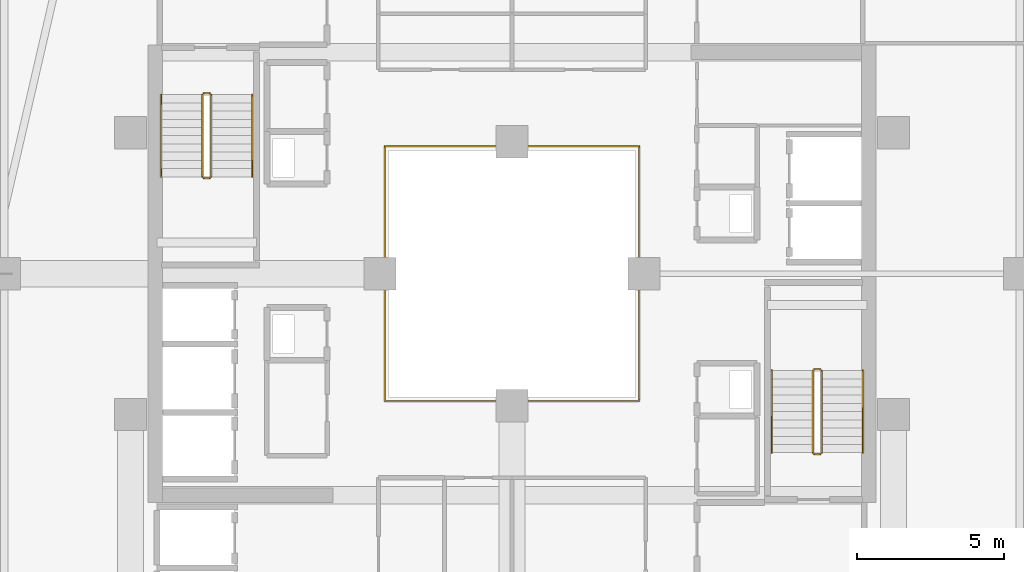
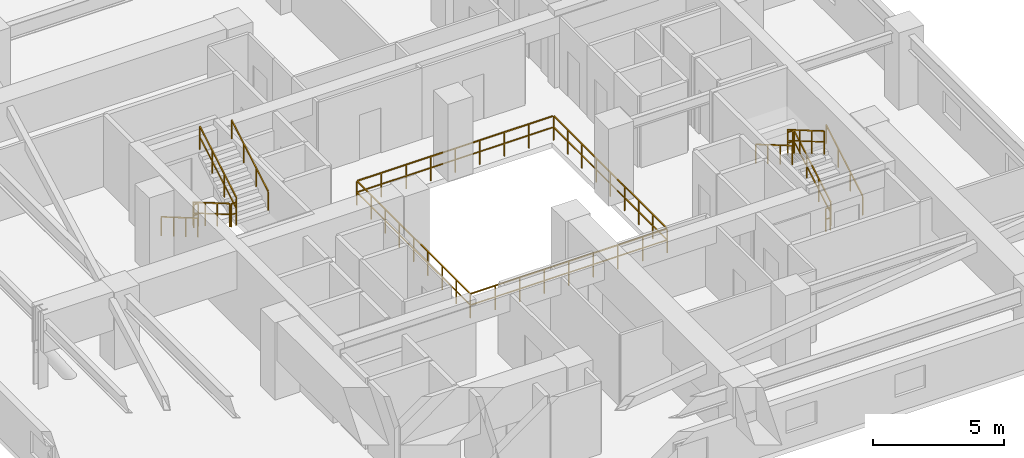
# One storey, part 35 of 36: 13 railings.
"""IFC4 building model written with IfcOpenShell, lengths in metres."""

from ifc_helpers import new_model, si_unit, direction, frame, origin, origin_2d, place, context, subcontext, project, spatial, rectangle, extrude, material, type_object, element, save


model = new_model("IFC4")

# Units and contexts
model_context = context("Model", 3, precision=1e-05, world=origin(), true_north=direction((0.0, 1.0)))
body_context = subcontext(model_context, "Body", "Model", "MODEL_VIEW")
ifc_project = project(units=[si_unit("LENGTHUNIT", "METRE"), si_unit("AREAUNIT", "SQUARE_METRE"), si_unit("VOLUMEUNIT", "CUBIC_METRE"), si_unit("PLANEANGLEUNIT", "RADIAN"), si_unit("MASSUNIT", "GRAM", prefix="KILO")], contexts=[model_context])

# Site, building, storey
site_placement = place(None, origin())
site = spatial("IfcSite", under=ifc_project, at=site_placement, CompositionType="ELEMENT")
building_placement = place(site_placement, origin())
building = spatial("IfcBuilding", under=site, at=building_placement, Name="Thornwick Lancets Civic Towers", CompositionType="ELEMENT")
storey_placement = place(building_placement, frame((0.0, 0.0, 196.5)))
storey = spatial("IfcBuildingStorey", under=building, at=storey_placement, Name="L52", CompositionType="ELEMENT", Elevation=196.5)

# Railings
ifc_material_1 = material(Name="Laminated glass and bronze steel S355", Category="steel")
railing_type_1 = type_object("IfcRailingType", Name="RAIL_ATRIUM_GUARD", PredefinedType="BALUSTRADE", material=ifc_material_1)
railing_1_placement = place(storey_placement, frame((84.159912109375, 22.659912109375, 0.0)))
element("IfcRailing", 1, at=railing_1_placement, inside=storey, type_object=railing_type_1, Name="L52 Tower B Central Atrium Guard Balustrade", PredefinedType="BALUSTRADE", context=body_context, shape_type="SweptSolid", body=[
    extrude(rectangle(XDim=0.048095703125, YDim=0.048095703125, at=origin_2d()), frame((0.0, 0.0, 1.1259765625), z_axis=(1.0, 0.0, 0.0), x_axis=(0.0, 1.0, 0.0)), (0.0, 0.0, 1.0), 8.64892578125),
    extrude(rectangle(XDim=0.0419921875, YDim=0.0419921875, at=origin_2d()), frame((0.03759765625, 0.0, 0.597900390625), z_axis=(1.0, 0.0, 0.0), x_axis=(0.0, 1.0, 0.0)), (0.0, 0.0, 1.0), 1.010009765625),
    extrude(rectangle(XDim=0.0419921875, YDim=0.0419921875, at=origin_2d()), frame((1.12255859375, 0.0, 0.597900390625), z_axis=(1.0, 0.0, 0.0), x_axis=(0.0, 1.0, 0.0)), (0.0, 0.0, 1.0), 1.010009765625),
    extrude(rectangle(XDim=0.0419921875, YDim=0.0419921875, at=origin_2d()), frame((2.20751953125, 0.0, 0.597900390625), z_axis=(1.0, 0.0, 0.0), x_axis=(0.0, 1.0, 0.0)), (0.0, 0.0, 1.0), 1.010009765625),
    extrude(rectangle(XDim=0.0419921875, YDim=0.0419921875, at=origin_2d()), frame((3.29248046875, 0.0, 0.597900390625), z_axis=(1.0, 0.0, 0.0), x_axis=(0.0, 1.0, 0.0)), (0.0, 0.0, 1.0), 1.010009765625),
    extrude(rectangle(XDim=0.0419921875, YDim=0.0419921875, at=origin_2d()), frame((4.377685546875, 0.0, 0.597900390625), z_axis=(1.0, 0.0, 0.0), x_axis=(0.0, 1.0, 0.0)), (0.0, 0.0, 1.0), 1.010009765625),
    extrude(rectangle(XDim=0.0419921875, YDim=0.0419921875, at=origin_2d()), frame((5.462646484375, 0.0, 0.597900390625), z_axis=(1.0, 0.0, 0.0), x_axis=(0.0, 1.0, 0.0)), (0.0, 0.0, 1.0), 1.010009765625),
    extrude(rectangle(XDim=0.0419921875, YDim=0.0419921875, at=origin_2d()), frame((6.547607421875, 0.0, 0.597900390625), z_axis=(1.0, 0.0, 0.0), x_axis=(0.0, 1.0, 0.0)), (0.0, 0.0, 1.0), 1.010009765625),
    extrude(rectangle(XDim=0.0419921875, YDim=0.0419921875, at=origin_2d()), frame((7.632568359375, 0.0, 0.597900390625), z_axis=(1.0, 0.0, 0.0), x_axis=(0.0, 1.0, 0.0)), (0.0, 0.0, 1.0), 1.010009765625),
    extrude(rectangle(XDim=0.048095703125, YDim=0.048095703125, at=origin_2d()), frame((8.68017578125, 0.03125, 1.1259765625), z_axis=(0.0, 1.0, 0.0), x_axis=(-1.0, 0.0, 0.0)), (0.0, 0.0, 1.0), 8.61767578125),
    extrude(rectangle(XDim=0.0419921875, YDim=0.0419921875, at=origin_2d()), frame((8.68017578125, 0.03759765625, 0.597900390625), z_axis=(0.0, 1.0, 0.0), x_axis=(-1.0, 0.0, 0.0)), (0.0, 0.0, 1.0), 1.010009765625),
    extrude(rectangle(XDim=0.0419921875, YDim=0.0419921875, at=origin_2d()), frame((8.68017578125, 1.12255859375, 0.597900390625), z_axis=(0.0, 1.0, 0.0), x_axis=(-1.0, 0.0, 0.0)), (0.0, 0.0, 1.0), 1.010009765625),
    extrude(rectangle(XDim=0.0419921875, YDim=0.0419921875, at=origin_2d()), frame((8.68017578125, 2.20751953125, 0.597900390625), z_axis=(0.0, 1.0, 0.0), x_axis=(-1.0, 0.0, 0.0)), (0.0, 0.0, 1.0), 1.010009765625),
    extrude(rectangle(XDim=0.0419921875, YDim=0.0419921875, at=origin_2d()), frame((8.68017578125, 3.29248046875, 0.597900390625), z_axis=(0.0, 1.0, 0.0), x_axis=(-1.0, 0.0, 0.0)), (0.0, 0.0, 1.0), 1.010009765625),
    extrude(rectangle(XDim=0.0419921875, YDim=0.0419921875, at=origin_2d()), frame((8.68017578125, 4.377685546875, 0.597900390625), z_axis=(0.0, 1.0, 0.0), x_axis=(-1.0, 0.0, 0.0)), (0.0, 0.0, 1.0), 1.010009765625),
    extrude(rectangle(XDim=0.0419921875, YDim=0.0419921875, at=origin_2d()), frame((8.68017578125, 5.462646484375, 0.597900390625), z_axis=(0.0, 1.0, 0.0), x_axis=(-1.0, 0.0, 0.0)), (0.0, 0.0, 1.0), 1.010009765625),
    extrude(rectangle(XDim=0.0419921875, YDim=0.0419921875, at=origin_2d()), frame((8.68017578125, 6.547607421875, 0.597900390625), z_axis=(0.0, 1.0, 0.0), x_axis=(-1.0, 0.0, 0.0)), (0.0, 0.0, 1.0), 1.010009765625),
    extrude(rectangle(XDim=0.0419921875, YDim=0.0419921875, at=origin_2d()), frame((8.68017578125, 7.632568359375, 0.597900390625), z_axis=(0.0, 1.0, 0.0), x_axis=(-1.0, 0.0, 0.0)), (0.0, 0.0, 1.0), 1.010009765625),
    extrude(rectangle(XDim=0.048095703125, YDim=0.048095703125, at=origin_2d()), frame((8.64892578125, 8.68017578125, 1.1259765625), z_axis=(-1.0, 0.0, 0.0), x_axis=(0.0, -1.0, 0.0)), (0.0, 0.0, 1.0), 8.61767578125),
    extrude(rectangle(XDim=0.0419921875, YDim=0.0419921875, at=origin_2d()), frame((8.642578125, 8.68017578125, 0.597900390625), z_axis=(-1.0, 0.0, 0.0), x_axis=(0.0, -1.0, 0.0)), (0.0, 0.0, 1.0), 1.010009765625),
    extrude(rectangle(XDim=0.0419921875, YDim=0.0419921875, at=origin_2d()), frame((7.5576171875, 8.68017578125, 0.597900390625), z_axis=(-1.0, 0.0, 0.0), x_axis=(0.0, -1.0, 0.0)), (0.0, 0.0, 1.0), 1.010009765625),
    extrude(rectangle(XDim=0.0419921875, YDim=0.0419921875, at=origin_2d()), frame((6.47265625, 8.68017578125, 0.597900390625), z_axis=(-1.0, 0.0, 0.0), x_axis=(0.0, -1.0, 0.0)), (0.0, 0.0, 1.0), 1.010009765625),
    extrude(rectangle(XDim=0.0419921875, YDim=0.0419921875, at=origin_2d()), frame((5.3876953125, 8.68017578125, 0.597900390625), z_axis=(-1.0, 0.0, 0.0), x_axis=(0.0, -1.0, 0.0)), (0.0, 0.0, 1.0), 1.010009765625),
    extrude(rectangle(XDim=0.0419921875, YDim=0.0419921875, at=origin_2d()), frame((4.302490234375, 8.68017578125, 0.597900390625), z_axis=(-1.0, 0.0, 0.0), x_axis=(0.0, -1.0, 0.0)), (0.0, 0.0, 1.0), 1.010009765625),
    extrude(rectangle(XDim=0.0419921875, YDim=0.0419921875, at=origin_2d()), frame((3.217529296875, 8.68017578125, 0.597900390625), z_axis=(-1.0, 0.0, 0.0), x_axis=(0.0, -1.0, 0.0)), (0.0, 0.0, 1.0), 1.010009765625),
    extrude(rectangle(XDim=0.0419921875, YDim=0.0419921875, at=origin_2d()), frame((2.132568359375, 8.68017578125, 0.597900390625), z_axis=(-1.0, 0.0, 0.0), x_axis=(0.0, -1.0, 0.0)), (0.0, 0.0, 1.0), 1.010009765625),
    extrude(rectangle(XDim=0.0419921875, YDim=0.0419921875, at=origin_2d()), frame((1.047607421875, 8.68017578125, 0.597900390625), z_axis=(-1.0, 0.0, 0.0), x_axis=(0.0, -1.0, 0.0)), (0.0, 0.0, 1.0), 1.010009765625),
    extrude(rectangle(XDim=0.048095703125, YDim=0.048095703125, at=origin_2d()), frame((0.0, 8.64892578125, 1.1259765625), z_axis=(0.0, -1.0, 0.0), x_axis=(1.0, 0.0, 0.0)), (0.0, 0.0, 1.0), 8.64892578125),
    extrude(rectangle(XDim=0.0419921875, YDim=0.0419921875, at=origin_2d()), frame((0.0, 8.642578125, 0.597900390625), z_axis=(0.0, -1.0, 0.0), x_axis=(1.0, 0.0, 0.0)), (0.0, 0.0, 1.0), 1.010009765625),
    extrude(rectangle(XDim=0.0419921875, YDim=0.0419921875, at=origin_2d()), frame((0.0, 7.5576171875, 0.597900390625), z_axis=(0.0, -1.0, 0.0), x_axis=(1.0, 0.0, 0.0)), (0.0, 0.0, 1.0), 1.010009765625),
    extrude(rectangle(XDim=0.0419921875, YDim=0.0419921875, at=origin_2d()), frame((0.0, 6.47265625, 0.597900390625), z_axis=(0.0, -1.0, 0.0), x_axis=(1.0, 0.0, 0.0)), (0.0, 0.0, 1.0), 1.010009765625),
    extrude(rectangle(XDim=0.0419921875, YDim=0.0419921875, at=origin_2d()), frame((0.0, 5.3876953125, 0.597900390625), z_axis=(0.0, -1.0, 0.0), x_axis=(1.0, 0.0, 0.0)), (0.0, 0.0, 1.0), 1.010009765625),
    extrude(rectangle(XDim=0.0419921875, YDim=0.0419921875, at=origin_2d()), frame((0.0, 4.302490234375, 0.597900390625), z_axis=(0.0, -1.0, 0.0), x_axis=(1.0, 0.0, 0.0)), (0.0, 0.0, 1.0), 1.010009765625),
    extrude(rectangle(XDim=0.0419921875, YDim=0.0419921875, at=origin_2d()), frame((0.0, 3.217529296875, 0.597900390625), z_axis=(0.0, -1.0, 0.0), x_axis=(1.0, 0.0, 0.0)), (0.0, 0.0, 1.0), 1.010009765625),
    extrude(rectangle(XDim=0.0419921875, YDim=0.0419921875, at=origin_2d()), frame((0.0, 2.132568359375, 0.597900390625), z_axis=(0.0, -1.0, 0.0), x_axis=(1.0, 0.0, 0.0)), (0.0, 0.0, 1.0), 1.010009765625),
    extrude(rectangle(XDim=0.0419921875, YDim=0.0419921875, at=origin_2d()), frame((0.0, 1.047607421875, 0.597900390625), z_axis=(0.0, -1.0, 0.0), x_axis=(1.0, 0.0, 0.0)), (0.0, 0.0, 1.0), 1.010009765625),
    extrude(rectangle(XDim=0.0419921875, YDim=0.0419921875, at=origin_2d()), origin(), (0.0, 0.0, 1.0), 1.095703125),
    extrude(rectangle(XDim=0.0419921875, YDim=0.0419921875, at=origin_2d()), frame((1.0849609375, 0.0, 0.0)), (0.0, 0.0, 1.0), 1.095703125),
    extrude(rectangle(XDim=0.0419921875, YDim=0.0419921875, at=origin_2d()), frame((2.169921875, 0.0, 0.0)), (0.0, 0.0, 1.0), 1.095703125),
    extrude(rectangle(XDim=0.0419921875, YDim=0.0419921875, at=origin_2d()), frame((3.255126953125, 0.0, 0.0)), (0.0, 0.0, 1.0), 1.095703125),
    extrude(rectangle(XDim=0.0419921875, YDim=0.0419921875, at=origin_2d()), frame((4.340087890625, 0.0, 0.0)), (0.0, 0.0, 1.0), 1.095703125),
    extrude(rectangle(XDim=0.0419921875, YDim=0.0419921875, at=origin_2d()), frame((5.425048828125, 0.0, 0.0)), (0.0, 0.0, 1.0), 1.095703125),
    extrude(rectangle(XDim=0.0419921875, YDim=0.0419921875, at=origin_2d()), frame((6.51025390625, 0.0, 0.0)), (0.0, 0.0, 1.0), 1.095703125),
    extrude(rectangle(XDim=0.0419921875, YDim=0.0419921875, at=origin_2d()), frame((7.59521484375, 0.0, 0.0)), (0.0, 0.0, 1.0), 1.095703125),
    extrude(rectangle(XDim=0.0419921875, YDim=0.0419921875, at=origin_2d()), frame((8.68017578125, 0.0, 0.0)), (0.0, 0.0, 1.0), 1.095703125),
    extrude(rectangle(XDim=0.0419921875, YDim=0.0419921875, at=origin_2d()), frame((8.68017578125, 1.0849609375, 0.0)), (0.0, 0.0, 1.0), 1.095703125),
    extrude(rectangle(XDim=0.0419921875, YDim=0.0419921875, at=origin_2d()), frame((8.68017578125, 2.169921875, 0.0)), (0.0, 0.0, 1.0), 1.095703125),
    extrude(rectangle(XDim=0.0419921875, YDim=0.0419921875, at=origin_2d()), frame((8.68017578125, 3.255126953125, 0.0)), (0.0, 0.0, 1.0), 1.095703125),
    extrude(rectangle(XDim=0.0419921875, YDim=0.0419921875, at=origin_2d()), frame((8.68017578125, 4.340087890625, 0.0)), (0.0, 0.0, 1.0), 1.095703125),
    extrude(rectangle(XDim=0.0419921875, YDim=0.0419921875, at=origin_2d()), frame((8.68017578125, 5.425048828125, 0.0)), (0.0, 0.0, 1.0), 1.095703125),
    extrude(rectangle(XDim=0.0419921875, YDim=0.0419921875, at=origin_2d()), frame((8.68017578125, 6.51025390625, 0.0)), (0.0, 0.0, 1.0), 1.095703125),
    extrude(rectangle(XDim=0.0419921875, YDim=0.0419921875, at=origin_2d()), frame((8.68017578125, 7.59521484375, 0.0)), (0.0, 0.0, 1.0), 1.095703125),
    extrude(rectangle(XDim=0.0419921875, YDim=0.0419921875, at=origin_2d()), frame((8.68017578125, 8.68017578125, 0.0)), (0.0, 0.0, 1.0), 1.095703125),
    extrude(rectangle(XDim=0.0419921875, YDim=0.0419921875, at=origin_2d()), frame((7.59521484375, 8.68017578125, 0.0)), (0.0, 0.0, 1.0), 1.095703125),
    extrude(rectangle(XDim=0.0419921875, YDim=0.0419921875, at=origin_2d()), frame((6.51025390625, 8.68017578125, 0.0)), (0.0, 0.0, 1.0), 1.095703125),
    extrude(rectangle(XDim=0.0419921875, YDim=0.0419921875, at=origin_2d()), frame((5.425048828125, 8.68017578125, 0.0)), (0.0, 0.0, 1.0), 1.095703125),
    extrude(rectangle(XDim=0.0419921875, YDim=0.0419921875, at=origin_2d()), frame((4.340087890625, 8.68017578125, 0.0)), (0.0, 0.0, 1.0), 1.095703125),
    extrude(rectangle(XDim=0.0419921875, YDim=0.0419921875, at=origin_2d()), frame((3.255126953125, 8.68017578125, 0.0)), (0.0, 0.0, 1.0), 1.095703125),
    extrude(rectangle(XDim=0.0419921875, YDim=0.0419921875, at=origin_2d()), frame((2.169921875, 8.68017578125, 0.0)), (0.0, 0.0, 1.0), 1.095703125),
    extrude(rectangle(XDim=0.0419921875, YDim=0.0419921875, at=origin_2d()), frame((1.0849609375, 8.68017578125, 0.0)), (0.0, 0.0, 1.0), 1.095703125),
    extrude(rectangle(XDim=0.0419921875, YDim=0.0419921875, at=origin_2d()), frame((0.0, 8.68017578125, 0.0)), (0.0, 0.0, 1.0), 1.095703125),
    extrude(rectangle(XDim=0.0419921875, YDim=0.0419921875, at=origin_2d()), frame((0.0, 7.59521484375, 0.0)), (0.0, 0.0, 1.0), 1.095703125),
    extrude(rectangle(XDim=0.0419921875, YDim=0.0419921875, at=origin_2d()), frame((0.0, 6.51025390625, 0.0)), (0.0, 0.0, 1.0), 1.095703125),
    extrude(rectangle(XDim=0.0419921875, YDim=0.0419921875, at=origin_2d()), frame((0.0, 5.425048828125, 0.0)), (0.0, 0.0, 1.0), 1.095703125),
    extrude(rectangle(XDim=0.0419921875, YDim=0.0419921875, at=origin_2d()), frame((0.0, 4.340087890625, 0.0)), (0.0, 0.0, 1.0), 1.095703125),
    extrude(rectangle(XDim=0.0419921875, YDim=0.0419921875, at=origin_2d()), frame((0.0, 3.255126953125, 0.0)), (0.0, 0.0, 1.0), 1.095703125),
    extrude(rectangle(XDim=0.0419921875, YDim=0.0419921875, at=origin_2d()), frame((0.0, 2.169921875, 0.0)), (0.0, 0.0, 1.0), 1.095703125),
    extrude(rectangle(XDim=0.0419921875, YDim=0.0419921875, at=origin_2d()), frame((0.0, 1.0849609375, 0.0)), (0.0, 0.0, 1.0), 1.095703125),
])
ifc_material_2 = material(Name="Brushed stainless steel S355", Category="steel")
railing_type_2 = type_object("IfcRailingType", Name="RAIL_HANDRAIL", PredefinedType="HANDRAIL", material=ifc_material_2)
railing_2_placement = place(storey_placement, frame((100.449951171875, 20.89990234375, 0.16357421875)))
element("IfcRailing", 2, at=railing_2_placement, inside=storey, type_object=railing_type_2, Name="L52 ST-B1 stair handrail 1", PredefinedType="HANDRAIL", context=body_context, shape_type="SweptSolid", body=[
    extrude(rectangle(XDim=0.048095703125, YDim=0.048095703125, at=origin_2d()), frame((0.0, 0.0, 0.8857421875), z_axis=(0.0, 0.863360870873, 0.504586966384), x_axis=(-1.0, 0.0, 0.0)), (0.0, 0.0, 1.0), 3.2431640625),
    extrude(rectangle(XDim=0.0419921875, YDim=0.0419921875, at=origin_2d()), origin(), (0.0, 0.0, 1.0), 0.855712890625),
    extrude(rectangle(XDim=0.0419921875, YDim=0.0419921875, at=origin_2d()), frame((0.0, 0.933349609375, 0.54541015625)), (0.0, 0.0, 1.0), 0.855712890625),
    extrude(rectangle(XDim=0.0419921875, YDim=0.0419921875, at=origin_2d()), frame((0.0, 1.86669921875, 1.091064453125)), (0.0, 0.0, 1.0), 0.855712890625),
    extrude(rectangle(XDim=0.0419921875, YDim=0.0419921875, at=origin_2d()), frame((0.0, 2.800048828125, 1.636474609375)), (0.0, 0.0, 1.0), 0.855712890625),
])
for number, where, name in (
    (3, (97.35009765625, 23.699951171875, 1.963623046875), "L52 ST-B1 stair handrail 2"),
    (4, (76.550048828125, 33.10009765625, 0.16357421875), "L52 ST-B2 stair handrail 1"),
):
    element("IfcRailing", number, at=place(storey_placement, frame(where)), inside=storey, type_object=railing_type_2, Name=name, PredefinedType="HANDRAIL", context=body_context, shape_type="SweptSolid", body=[
        extrude(rectangle(XDim=0.048095703125, YDim=0.048095703125, at=origin_2d()), frame((0.0, 0.0, 0.8857421875), z_axis=(0.0, -0.863360870873, 0.504586966384), x_axis=(1.0, 0.0, 0.0)), (0.0, 0.0, 1.0), 3.2431640625),
        extrude(rectangle(XDim=0.0419921875, YDim=0.0419921875, at=origin_2d()), origin(), (0.0, 0.0, 1.0), 0.855712890625),
        extrude(rectangle(XDim=0.0419921875, YDim=0.0419921875, at=origin_2d()), frame((0.0, -0.933349609375, 0.54541015625)), (0.0, 0.0, 1.0), 0.855712890625),
        extrude(rectangle(XDim=0.0419921875, YDim=0.0419921875, at=origin_2d()), frame((0.0, -1.86669921875, 1.091064453125)), (0.0, 0.0, 1.0), 0.855712890625),
        extrude(rectangle(XDim=0.0419921875, YDim=0.0419921875, at=origin_2d()), frame((0.0, -2.800048828125, 1.636474609375)), (0.0, 0.0, 1.0), 0.855712890625),
    ])
railing_3_placement = place(storey_placement, frame((79.64990234375, 30.300048828125, 1.963623046875)))
element("IfcRailing", 5, at=railing_3_placement, inside=storey, type_object=railing_type_2, Name="L52 ST-B2 stair handrail 2", PredefinedType="HANDRAIL", context=body_context, shape_type="SweptSolid", body=[
    extrude(rectangle(XDim=0.048095703125, YDim=0.048095703125, at=origin_2d()), frame((0.0, 0.0, 0.8857421875), z_axis=(0.0, 0.863360870873, 0.504586966384), x_axis=(-1.0, 0.0, 0.0)), (0.0, 0.0, 1.0), 3.2431640625),
    extrude(rectangle(XDim=0.0419921875, YDim=0.0419921875, at=origin_2d()), origin(), (0.0, 0.0, 1.0), 0.855712890625),
    extrude(rectangle(XDim=0.0419921875, YDim=0.0419921875, at=origin_2d()), frame((0.0, 0.933349609375, 0.54541015625)), (0.0, 0.0, 1.0), 0.855712890625),
    extrude(rectangle(XDim=0.0419921875, YDim=0.0419921875, at=origin_2d()), frame((0.0, 1.86669921875, 1.091064453125)), (0.0, 0.0, 1.0), 0.855712890625),
    extrude(rectangle(XDim=0.0419921875, YDim=0.0419921875, at=origin_2d()), frame((0.0, 2.800048828125, 1.636474609375)), (0.0, 0.0, 1.0), 0.855712890625),
])
ifc_material_3 = material(Name="Steel S355JR", Category="steel")
railing_type_3 = type_object("IfcRailingType", Name="RAIL_STAIR_GUARD", PredefinedType="GUARDRAIL", material=ifc_material_3)
railing_4_placement = place(storey_placement, frame((99.050048828125, 20.89990234375, 0.16357421875)))
element("IfcRailing", 6, at=railing_4_placement, inside=storey, type_object=railing_type_3, Name="L52 ST-B1 stair guard 1", PredefinedType="GUARDRAIL", context=body_context, shape_type="SweptSolid", body=[
    extrude(rectangle(XDim=0.048095703125, YDim=0.048095703125, at=origin_2d()), frame((0.0, 0.0, 1.076171875), z_axis=(0.0, 0.863360870873, 0.504586966384), x_axis=(-1.0, 0.0, 0.0)), (0.0, 0.0, 1.0), 3.2431640625),
    extrude(rectangle(XDim=0.0419921875, YDim=0.0419921875, at=origin_2d()), frame((0.0, 0.032470703125, 0.591064453125), z_axis=(0.0, 0.863360870873, 0.504586966384), x_axis=(-1.0, 0.0, 0.0)), (0.0, 0.0, 1.0), 1.006103515625),
    extrude(rectangle(XDim=0.0419921875, YDim=0.0419921875, at=origin_2d()), frame((0.0, 0.9658203125, 1.136474609375), z_axis=(0.0, 0.863360870873, 0.504586966384), x_axis=(-1.0, 0.0, 0.0)), (0.0, 0.0, 1.0), 1.006103515625),
    extrude(rectangle(XDim=0.0419921875, YDim=0.0419921875, at=origin_2d()), frame((0.0, 1.899169921875, 1.681884765625), z_axis=(0.0, 0.863360870873, 0.504586966384), x_axis=(-1.0, 0.0, 0.0)), (0.0, 0.0, 1.0), 1.006103515625),
    extrude(rectangle(XDim=0.0419921875, YDim=0.0419921875, at=origin_2d()), origin(), (0.0, 0.0, 1.0), 1.0458984375),
    extrude(rectangle(XDim=0.0419921875, YDim=0.0419921875, at=origin_2d()), frame((0.0, 0.933349609375, 0.54541015625)), (0.0, 0.0, 1.0), 1.0458984375),
    extrude(rectangle(XDim=0.0419921875, YDim=0.0419921875, at=origin_2d()), frame((0.0, 1.86669921875, 1.091064453125)), (0.0, 0.0, 1.0), 1.0458984375),
    extrude(rectangle(XDim=0.0419921875, YDim=0.0419921875, at=origin_2d()), frame((0.0, 2.800048828125, 1.636474609375)), (0.0, 0.0, 1.0), 1.0458984375),
])
railing_5_placement = place(storey_placement, frame((99.0, 23.75, 1.800048828125)))
element("IfcRailing", 7, at=railing_5_placement, inside=storey, type_object=railing_type_3, Name="L52 ST-B1 stair guard 2", PredefinedType="GUARDRAIL", context=body_context, shape_type="SweptSolid", body=[
    extrude(rectangle(XDim=0.048095703125, YDim=0.048095703125, at=origin_2d()), frame((0.0, 0.0, 1.076171875), z_axis=(-1.0, 0.0, 0.0), x_axis=(0.0, -1.0, 0.0)), (0.0, 0.0, 1.0), 0.199951171875),
    extrude(rectangle(XDim=0.0419921875, YDim=0.0419921875, at=origin_2d()), frame((-0.03759765625, 0.0, 0.572021484375), z_axis=(-1.0, 0.0, 0.0), x_axis=(0.0, -1.0, 0.0)), (0.0, 0.0, 1.0), 0.125),
    extrude(rectangle(XDim=0.0419921875, YDim=0.0419921875, at=origin_2d()), origin(), (0.0, 0.0, 1.0), 1.0458984375),
    extrude(rectangle(XDim=0.0419921875, YDim=0.0419921875, at=origin_2d()), frame((-0.199951171875, 0.0, 0.0)), (0.0, 0.0, 1.0), 1.0458984375),
])
railing_6_placement = place(storey_placement, frame((98.75, 23.699951171875, 1.963623046875)))
element("IfcRailing", 8, at=railing_6_placement, inside=storey, type_object=railing_type_3, Name="L52 ST-B1 stair guard 3", PredefinedType="GUARDRAIL", context=body_context, shape_type="SweptSolid", body=[
    extrude(rectangle(XDim=0.048095703125, YDim=0.048095703125, at=origin_2d()), frame((0.0, 0.0, 1.076171875), z_axis=(0.0, -0.863360870873, 0.504586966384), x_axis=(1.0, 0.0, 0.0)), (0.0, 0.0, 1.0), 3.2431640625),
    extrude(rectangle(XDim=0.0419921875, YDim=0.0419921875, at=origin_2d()), frame((0.0, -0.032470703125, 0.591064453125), z_axis=(0.0, -0.863360870873, 0.504586966384), x_axis=(1.0, 0.0, 0.0)), (0.0, 0.0, 1.0), 1.006103515625),
    extrude(rectangle(XDim=0.0419921875, YDim=0.0419921875, at=origin_2d()), frame((0.0, -0.9658203125, 1.136474609375), z_axis=(0.0, -0.863360870873, 0.504586966384), x_axis=(1.0, 0.0, 0.0)), (0.0, 0.0, 1.0), 1.006103515625),
    extrude(rectangle(XDim=0.0419921875, YDim=0.0419921875, at=origin_2d()), frame((0.0, -1.899169921875, 1.681884765625), z_axis=(0.0, -0.863360870873, 0.504586966384), x_axis=(1.0, 0.0, 0.0)), (0.0, 0.0, 1.0), 1.006103515625),
    extrude(rectangle(XDim=0.0419921875, YDim=0.0419921875, at=origin_2d()), origin(), (0.0, 0.0, 1.0), 1.0458984375),
    extrude(rectangle(XDim=0.0419921875, YDim=0.0419921875, at=origin_2d()), frame((0.0, -0.933349609375, 0.54541015625)), (0.0, 0.0, 1.0), 1.0458984375),
    extrude(rectangle(XDim=0.0419921875, YDim=0.0419921875, at=origin_2d()), frame((0.0, -1.86669921875, 1.091064453125)), (0.0, 0.0, 1.0), 1.0458984375),
    extrude(rectangle(XDim=0.0419921875, YDim=0.0419921875, at=origin_2d()), frame((0.0, -2.800048828125, 1.636474609375)), (0.0, 0.0, 1.0), 1.0458984375),
])
railing_7_placement = place(storey_placement, frame((99.0, 20.85009765625, 0.0)))
element("IfcRailing", 9, at=railing_7_placement, inside=storey, type_object=railing_type_3, Name="L52 ST-B1 stair guard 4", PredefinedType="GUARDRAIL", context=body_context, shape_type="SweptSolid", body=[
    extrude(rectangle(XDim=0.048095703125, YDim=0.048095703125, at=origin_2d()), frame((0.0, 0.0, 1.076171875), z_axis=(-1.0, 0.0, 0.0), x_axis=(0.0, -1.0, 0.0)), (0.0, 0.0, 1.0), 0.199951171875),
    extrude(rectangle(XDim=0.0419921875, YDim=0.0419921875, at=origin_2d()), frame((-0.03759765625, 0.0, 0.572021484375), z_axis=(-1.0, 0.0, 0.0), x_axis=(0.0, -1.0, 0.0)), (0.0, 0.0, 1.0), 0.125),
    extrude(rectangle(XDim=0.0419921875, YDim=0.0419921875, at=origin_2d()), origin(), (0.0, 0.0, 1.0), 1.0458984375),
    extrude(rectangle(XDim=0.0419921875, YDim=0.0419921875, at=origin_2d()), frame((-0.199951171875, 0.0, 0.0)), (0.0, 0.0, 1.0), 1.0458984375),
])
railing_8_placement = place(storey_placement, frame((77.949951171875, 33.10009765625, 0.16357421875)))
element("IfcRailing", 10, at=railing_8_placement, inside=storey, type_object=railing_type_3, Name="L52 ST-B2 stair guard 1", PredefinedType="GUARDRAIL", context=body_context, shape_type="SweptSolid", body=[
    extrude(rectangle(XDim=0.048095703125, YDim=0.048095703125, at=origin_2d()), frame((0.0, 0.0, 1.076171875), z_axis=(0.0, -0.863360870873, 0.504586966384), x_axis=(1.0, 0.0, 0.0)), (0.0, 0.0, 1.0), 3.2431640625),
    extrude(rectangle(XDim=0.0419921875, YDim=0.0419921875, at=origin_2d()), frame((0.0, -0.032470703125, 0.591064453125), z_axis=(0.0, -0.863360870873, 0.504586966384), x_axis=(1.0, 0.0, 0.0)), (0.0, 0.0, 1.0), 1.006103515625),
    extrude(rectangle(XDim=0.0419921875, YDim=0.0419921875, at=origin_2d()), frame((0.0, -0.9658203125, 1.136474609375), z_axis=(0.0, -0.863360870873, 0.504586966384), x_axis=(1.0, 0.0, 0.0)), (0.0, 0.0, 1.0), 1.006103515625),
    extrude(rectangle(XDim=0.0419921875, YDim=0.0419921875, at=origin_2d()), frame((0.0, -1.899169921875, 1.681884765625), z_axis=(0.0, -0.863360870873, 0.504586966384), x_axis=(1.0, 0.0, 0.0)), (0.0, 0.0, 1.0), 1.006103515625),
    extrude(rectangle(XDim=0.0419921875, YDim=0.0419921875, at=origin_2d()), origin(), (0.0, 0.0, 1.0), 1.0458984375),
    extrude(rectangle(XDim=0.0419921875, YDim=0.0419921875, at=origin_2d()), frame((0.0, -0.933349609375, 0.54541015625)), (0.0, 0.0, 1.0), 1.0458984375),
    extrude(rectangle(XDim=0.0419921875, YDim=0.0419921875, at=origin_2d()), frame((0.0, -1.86669921875, 1.091064453125)), (0.0, 0.0, 1.0), 1.0458984375),
    extrude(rectangle(XDim=0.0419921875, YDim=0.0419921875, at=origin_2d()), frame((0.0, -2.800048828125, 1.636474609375)), (0.0, 0.0, 1.0), 1.0458984375),
])
railing_9_placement = place(storey_placement, frame((78.0, 30.25, 1.800048828125)))
element("IfcRailing", 11, at=railing_9_placement, inside=storey, type_object=railing_type_3, Name="L52 ST-B2 stair guard 2", PredefinedType="GUARDRAIL", context=body_context, shape_type="SweptSolid", body=[
    extrude(rectangle(XDim=0.048095703125, YDim=0.048095703125, at=origin_2d()), frame((0.0, 0.0, 1.076171875), z_axis=(1.0, 0.0, 0.0), x_axis=(0.0, 1.0, 0.0)), (0.0, 0.0, 1.0), 0.199951171875),
    extrude(rectangle(XDim=0.0419921875, YDim=0.0419921875, at=origin_2d()), frame((0.03759765625, 0.0, 0.572021484375), z_axis=(1.0, 0.0, 0.0), x_axis=(0.0, 1.0, 0.0)), (0.0, 0.0, 1.0), 0.125),
    extrude(rectangle(XDim=0.0419921875, YDim=0.0419921875, at=origin_2d()), origin(), (0.0, 0.0, 1.0), 1.0458984375),
    extrude(rectangle(XDim=0.0419921875, YDim=0.0419921875, at=origin_2d()), frame((0.199951171875, 0.0, 0.0)), (0.0, 0.0, 1.0), 1.0458984375),
])
railing_10_placement = place(storey_placement, frame((78.25, 30.300048828125, 1.963623046875)))
element("IfcRailing", 12, at=railing_10_placement, inside=storey, type_object=railing_type_3, Name="L52 ST-B2 stair guard 3", PredefinedType="GUARDRAIL", context=body_context, shape_type="SweptSolid", body=[
    extrude(rectangle(XDim=0.048095703125, YDim=0.048095703125, at=origin_2d()), frame((0.0, 0.0, 1.076171875), z_axis=(0.0, 0.863360870873, 0.504586966384), x_axis=(-1.0, 0.0, 0.0)), (0.0, 0.0, 1.0), 3.2431640625),
    extrude(rectangle(XDim=0.0419921875, YDim=0.0419921875, at=origin_2d()), frame((0.0, 0.032470703125, 0.591064453125), z_axis=(0.0, 0.863360870873, 0.504586966384), x_axis=(-1.0, 0.0, 0.0)), (0.0, 0.0, 1.0), 1.006103515625),
    extrude(rectangle(XDim=0.0419921875, YDim=0.0419921875, at=origin_2d()), frame((0.0, 0.9658203125, 1.136474609375), z_axis=(0.0, 0.863360870873, 0.504586966384), x_axis=(-1.0, 0.0, 0.0)), (0.0, 0.0, 1.0), 1.006103515625),
    extrude(rectangle(XDim=0.0419921875, YDim=0.0419921875, at=origin_2d()), frame((0.0, 1.899169921875, 1.681884765625), z_axis=(0.0, 0.863360870873, 0.504586966384), x_axis=(-1.0, 0.0, 0.0)), (0.0, 0.0, 1.0), 1.006103515625),
    extrude(rectangle(XDim=0.0419921875, YDim=0.0419921875, at=origin_2d()), origin(), (0.0, 0.0, 1.0), 1.0458984375),
    extrude(rectangle(XDim=0.0419921875, YDim=0.0419921875, at=origin_2d()), frame((0.0, 0.933349609375, 0.54541015625)), (0.0, 0.0, 1.0), 1.0458984375),
    extrude(rectangle(XDim=0.0419921875, YDim=0.0419921875, at=origin_2d()), frame((0.0, 1.86669921875, 1.091064453125)), (0.0, 0.0, 1.0), 1.0458984375),
    extrude(rectangle(XDim=0.0419921875, YDim=0.0419921875, at=origin_2d()), frame((0.0, 2.800048828125, 1.636474609375)), (0.0, 0.0, 1.0), 1.0458984375),
])
railing_11_placement = place(storey_placement, frame((78.0, 33.14990234375, 0.0)))
element("IfcRailing", 13, at=railing_11_placement, inside=storey, type_object=railing_type_3, Name="L52 ST-B2 stair guard 4", PredefinedType="GUARDRAIL", context=body_context, shape_type="SweptSolid", body=[
    extrude(rectangle(XDim=0.048095703125, YDim=0.048095703125, at=origin_2d()), frame((0.0, 0.0, 1.076171875), z_axis=(1.0, 0.0, 0.0), x_axis=(0.0, 1.0, 0.0)), (0.0, 0.0, 1.0), 0.199951171875),
    extrude(rectangle(XDim=0.0419921875, YDim=0.0419921875, at=origin_2d()), frame((0.03759765625, 0.0, 0.572021484375), z_axis=(1.0, 0.0, 0.0), x_axis=(0.0, 1.0, 0.0)), (0.0, 0.0, 1.0), 0.125),
    extrude(rectangle(XDim=0.0419921875, YDim=0.0419921875, at=origin_2d()), origin(), (0.0, 0.0, 1.0), 1.0458984375),
    extrude(rectangle(XDim=0.0419921875, YDim=0.0419921875, at=origin_2d()), frame((0.199951171875, 0.0, 0.0)), (0.0, 0.0, 1.0), 1.0458984375),
])

save(model, "model.ifc")
